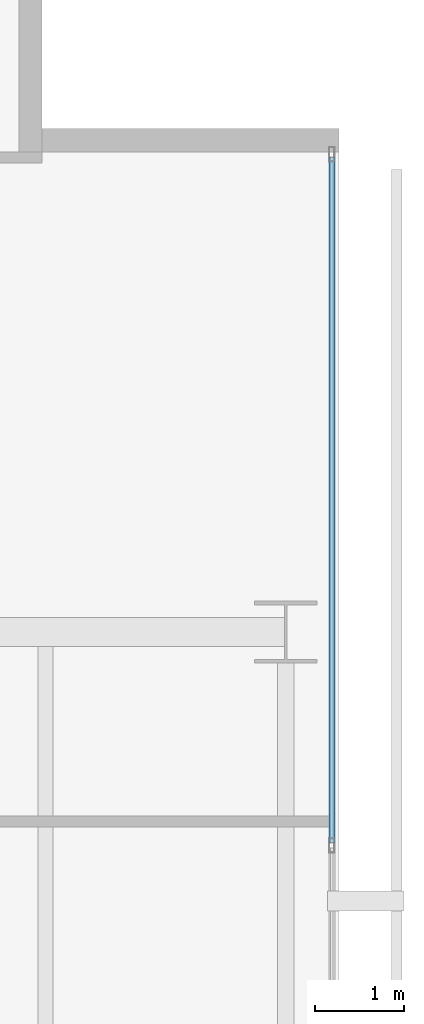
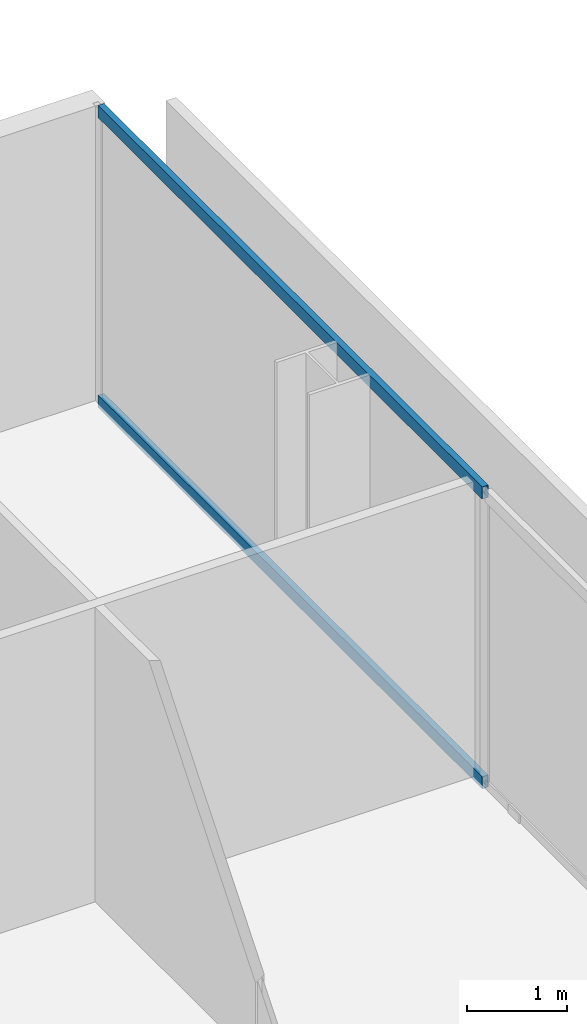
# One storey, part 29 of 39: 2 members, 1 element without a shape of its own.
"""IFC4 building model written with IfcOpenShell, lengths in metres."""

from ifc_helpers import new_model, si_unit, direction, frame, origin, origin_2d, place, context, subcontext, project, spatial, hollow_rectangle, extrude, material, layer, layer_set, material_profile, profile_set, type_object, element, aggregate, save


model = new_model("IFC4")

# Units and contexts
model_context = context("Model", 3, precision=1e-05, world=origin(), true_north=direction((0.0, 1.0)))
body_context = subcontext(model_context, "Body", "Model", "MODEL_VIEW")
ifc_project = project(units=[si_unit("LENGTHUNIT", "METRE"), si_unit("AREAUNIT", "SQUARE_METRE"), si_unit("VOLUMEUNIT", "CUBIC_METRE"), si_unit("PLANEANGLEUNIT", "RADIAN"), si_unit("MASSUNIT", "GRAM", prefix="KILO")], contexts=[model_context])

# Site, building, storey
site_placement = place(None, origin())
site = spatial("IfcSite", under=ifc_project, at=site_placement, CompositionType="ELEMENT")
building_placement = place(site_placement, origin())
building = spatial("IfcBuilding", under=site, at=building_placement, Name="Maruvema Waterfront Hotel and Observation Tower", CompositionType="ELEMENT")
storey_placement = place(building_placement, frame((0.0, 0.0, 46.199951171875)))
storey = spatial("IfcBuildingStorey", under=building, at=storey_placement, Name="L10", CompositionType="ELEMENT", Elevation=46.199951171875)

# Curtain wall, members
ifc_material_1 = material(Name="Anodised bronze aluminium and solar-control low-E IGU", Category="aluminium")
ifc_layer = layer(ifc_material_1, 0.159912109375, Name="Zone 1 Bronze Inner Thermal Curtain Wall System CW-02")
ifc_layer_set = layer_set([ifc_layer], Name="Anodised bronze aluminium and solar-control low-E IGU")
curtain_wall_type = type_object("IfcCurtainWallType", Name="Zone 1 Bronze Inner Thermal Curtain Wall System CW-02", PredefinedType="USERDEFINED", material=ifc_layer_set)
curtain_wall_placement = place(storey_placement, origin())
curtain_wall = element("IfcCurtainWall", 1, at=curtain_wall_placement, inside=storey, type_object=curtain_wall_type, Name="L10 Curtain Wall CW-L10-E", ObjectType="UNITISED CURTAIN WALL", PredefinedType="USERDEFINED")
ifc_material_2 = material(Name="Anodised architectural bronze aluminium", Category="aluminium")
ifc_material_profile = material_profile(ifc_material_2, hollow_rectangle(XDim=0.070068359375, YDim=0.14990234375, WallThickness=0.00390625, at=origin_2d()), Name="ALU-T70x150")
ifc_profile_set = profile_set([ifc_material_profile], Name="Anodised architectural bronze aluminium")
member_type = type_object("IfcMemberType", Name="Curtain Wall Horizontal Transom ALU-T70x150", PredefinedType="USERDEFINED", material=ifc_profile_set)
member_1_placement = place(storey_placement, frame((64.719970703125, 42.6298828125, 0.030029296875), z_axis=(0.0, 1.0, 0.0), x_axis=(-1.0, 0.0, 0.0)))
member_1 = element("IfcMember", 2, at=member_1_placement, type_object=member_type, Name="CW-02 transom 6.1", ObjectType="TRANSOM", PredefinedType="USERDEFINED", context=body_context, shape_type="SweptSolid", body=[
    extrude(hollow_rectangle(XDim=0.070068359375, YDim=0.14990234375, WallThickness=0.00390625, at=origin_2d()), origin(), (0.0, 0.0, 1.0), 7.710205078125),
])
member_2_placement = place(storey_placement, frame((64.719970703125, 42.6298828125, 3.580078125), z_axis=(0.0, 1.0, 0.0), x_axis=(-1.0, 0.0, 0.0)))
member_2 = element("IfcMember", 3, at=member_2_placement, type_object=member_type, Name="CW-02 transom 6.2", ObjectType="TRANSOM", PredefinedType="USERDEFINED", context=body_context, shape_type="SweptSolid", body=[
    extrude(hollow_rectangle(XDim=0.070068359375, YDim=0.14990234375, WallThickness=0.00390625, at=origin_2d()), origin(), (0.0, 0.0, 1.0), 7.710205078125),
])
aggregate(curtain_wall, [member_1, member_2])

save(model, "model.ifc")
